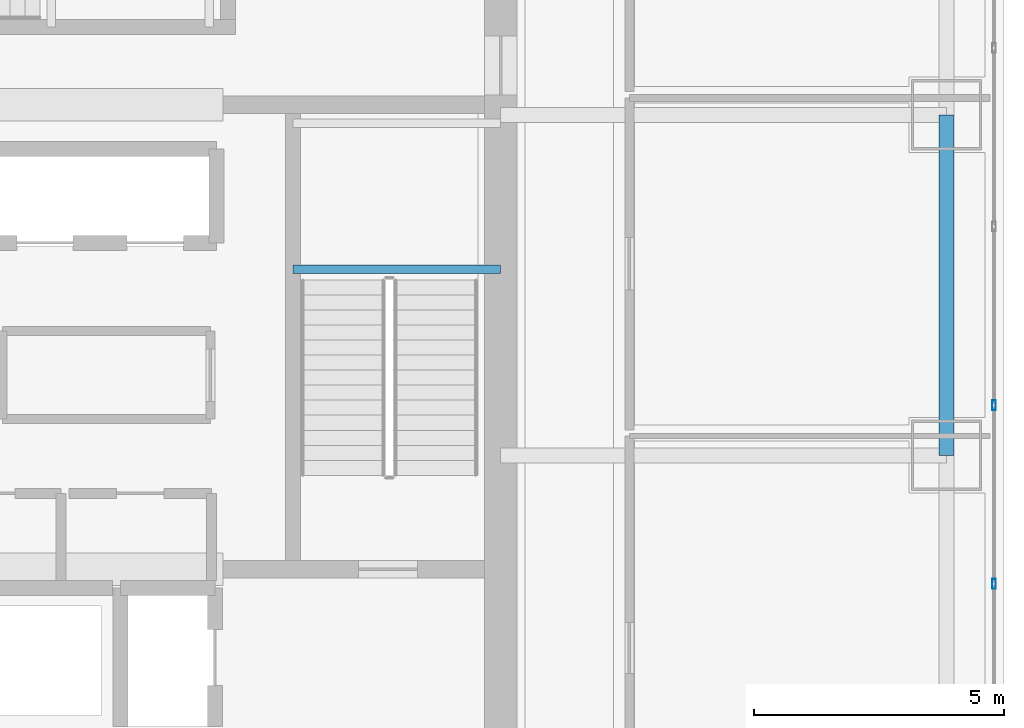
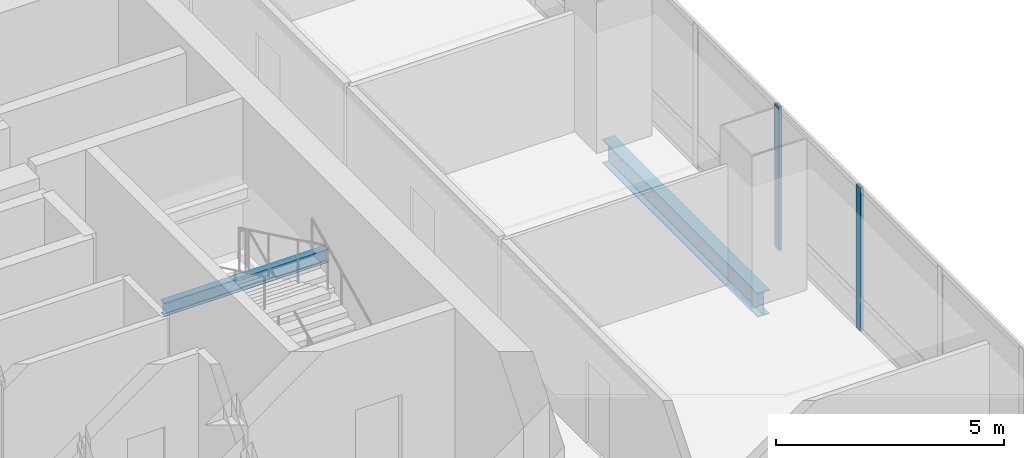
# One storey, part 15 of 37: 2 beams, 2 members, 1 element without a shape of its own.
"""IFC4 building model written with IfcOpenShell, lengths in metres."""

from ifc_helpers import new_model, si_unit, direction, frame, origin, origin_2d, place, context, subcontext, project, spatial, hollow_rectangle, i_section, extrude, material, material_profile, profile_set, type_object, element, aggregate, save


model = new_model("IFC4")

# Units and contexts
model_context = context("Model", 3, precision=1e-05, world=origin(), true_north=direction((0.0, 1.0)))
body_context = subcontext(model_context, "Body", "Model", "MODEL_VIEW")
ifc_project = project(units=[si_unit("LENGTHUNIT", "METRE"), si_unit("AREAUNIT", "SQUARE_METRE"), si_unit("VOLUMEUNIT", "CUBIC_METRE"), si_unit("PLANEANGLEUNIT", "RADIAN"), si_unit("MASSUNIT", "GRAM", prefix="KILO")], contexts=[model_context])

# Site, building, storey
site_placement = place(None, origin())
site = spatial("IfcSite", under=ifc_project, at=site_placement, CompositionType="ELEMENT")
building_placement = place(site_placement, origin())
building = spatial("IfcBuilding", under=site, at=building_placement, Name="Punatoya Terracotta Tower", CompositionType="ELEMENT")
storey_placement = place(building_placement, frame((0.0, 0.0, 192.449951171875)))
storey = spatial("IfcBuildingStorey", under=building, at=storey_placement, Name="L45", CompositionType="ELEMENT", Elevation=192.449951171875)

# Beams
ifc_material_1 = material(Name="Steel S355", Category="steel")
ifc_material_profile_1 = material_profile(ifc_material_1, i_section(OverallWidth=0.300048828125, OverallDepth=0.64990234375, WebThickness=0.01611328125, FlangeThickness=0.031005859375, FilletRadius=0.01806640625, at=origin_2d()))
ifc_profile_set_1 = profile_set([ifc_material_profile_1], Name="Steel S355")
beam_type_1 = type_object("IfcBeamType", Name="BM-PRI-650", PredefinedType="BEAM", material=ifc_profile_set_1)
beam_1_placement = place(storey_placement, frame((19.10009765625, -3.39990234375, -0.544921875), z_axis=(0.0, 1.0, 0.0), x_axis=(-1.0, 0.0, 0.0)))
element("IfcBeam", 1, at=beam_1_placement, inside=storey, type_object=beam_type_1, Name="BM-L45-RG-E2", PredefinedType="BEAM", context=body_context, shape_type="SweptSolid", body=[
    extrude(i_section(OverallWidth=0.300048828125, OverallDepth=0.64990234375, WebThickness=0.01611328125, FlangeThickness=0.031005859375, FilletRadius=0.01806640625, at=origin_2d()), origin(), (0.0, 0.0, 1.0), 6.7998046875),
])
ifc_material_profile_2 = material_profile(ifc_material_1, i_section(OverallWidth=0.169921875, OverallDepth=0.360107421875, WebThickness=0.008056640625, FlangeThickness=0.0126953125, FilletRadius=0.01806640625, at=origin_2d()))
ifc_profile_set_2 = profile_set([ifc_material_profile_2], Name="Steel S355")
beam_type_2 = type_object("IfcBeamType", Name="BM-SEC-360", PredefinedType="JOIST", material=ifc_profile_set_2)
beam_2_placement = place(storey_placement, frame((6.050048828125, 0.320068359375, 1.64501953125), z_axis=(1.0, 0.0, 0.0), x_axis=(0.0, 1.0, 0.0)))
element("IfcBeam", 2, at=beam_2_placement, inside=storey, type_object=beam_type_2, Name="BM-L45-ST-2-LD1A", PredefinedType="JOIST", context=body_context, shape_type="SweptSolid", body=[
    extrude(i_section(OverallWidth=0.169921875, OverallDepth=0.360107421875, WebThickness=0.008056640625, FlangeThickness=0.0126953125, FilletRadius=0.01806640625, at=origin_2d()), origin(), (0.0, 0.0, 1.0), 4.14990234375),
])

# Curtain wall, members
ifc_material_2 = material(Name="Aluminium 6063-T6 + Double Low-E Glass", Category="aluminium")
curtain_wall_type = type_object("IfcCurtainWallType", Name="CW-M2", PredefinedType="NOTDEFINED", material=ifc_material_2)
curtain_wall_placement = place(storey_placement, origin())
curtain_wall = element("IfcCurtainWall", 3, at=curtain_wall_placement, inside=storey, type_object=curtain_wall_type, Name="L45 Curtain Wall CW-L45-E05-1", PredefinedType="NOTDEFINED")
ifc_material_3 = material(Name="Aluminium 6063-T6", Category="aluminium")
ifc_material_profile_3 = material_profile(ifc_material_3, hollow_rectangle(XDim=0.072021484375, YDim=0.195068359375, WallThickness=0.00439453125, at=origin_2d()))
ifc_profile_set_3 = profile_set([ifc_material_profile_3], Name="Aluminium 6063-T6")
member_type = type_object("IfcMemberType", Name="CW-MUL-M2", PredefinedType="MULLION", material=ifc_profile_set_3)
member_1_placement = place(storey_placement, frame((20.050048828125, -5.96728515625, 0.0), z_axis=(0.0, 0.0, 1.0), x_axis=(1.0, 0.0, 0.0)))
member_1 = element("IfcMember", 4, at=member_1_placement, type_object=member_type, Name="CW-L45-E05-1 Mullion 04", PredefinedType="MULLION", context=body_context, shape_type="SweptSolid", body=[
    extrude(hollow_rectangle(XDim=0.072021484375, YDim=0.195068359375, WallThickness=0.00439453125, at=origin_2d()), origin(), (0.0, 0.0, 1.0), 3.830078125),
])
member_2_placement = place(storey_placement, frame((20.050048828125, -2.39990234375, 0.0), z_axis=(0.0, 0.0, 1.0), x_axis=(1.0, 0.0, 0.0)))
member_2 = element("IfcMember", 5, at=member_2_placement, type_object=member_type, Name="CW-L45-E05-1 Mullion 05", PredefinedType="MULLION", context=body_context, shape_type="SweptSolid", body=[
    extrude(hollow_rectangle(XDim=0.072021484375, YDim=0.195068359375, WallThickness=0.00439453125, at=origin_2d()), origin(), (0.0, 0.0, 1.0), 3.830078125),
])
aggregate(curtain_wall, [member_1, member_2])

save(model, "model.ifc")
